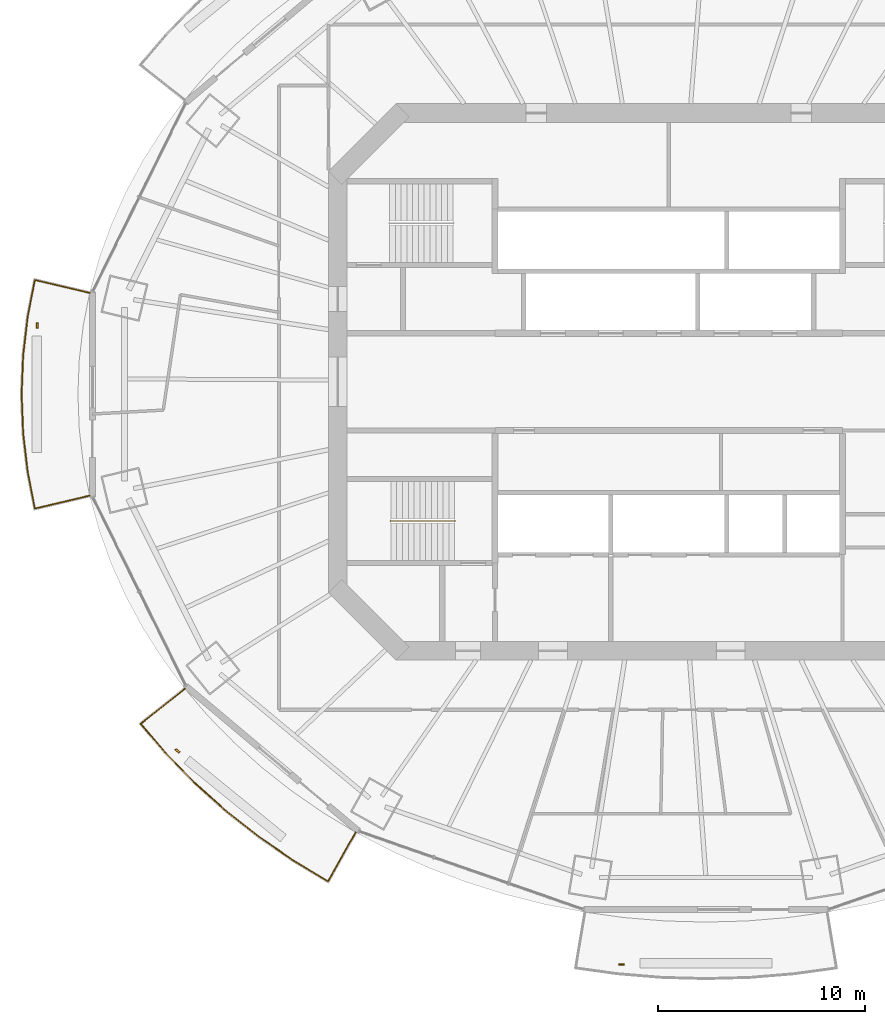
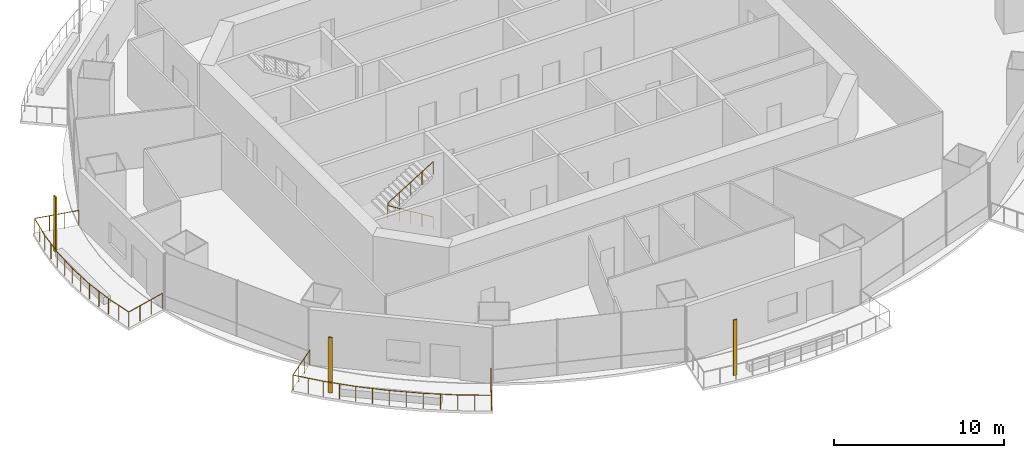
# One storey, part 14 of 19: 3 railings, 3 shading devices.
"""IFC4 building model written with IfcOpenShell, lengths in metres."""

from ifc_helpers import new_model, si_unit, direction, frame, origin, origin_2d, place, context, subcontext, project, spatial, rectangle, circle, extrude, material, material_profile, profile_set, type_object, element, save


model = new_model("IFC4")

# Units and contexts
model_context = context("Model", 3, precision=1e-05, world=origin(), true_north=direction((0.0, 1.0)))
body_context = subcontext(model_context, "Body", "Model", "MODEL_VIEW")
ifc_project = project(units=[si_unit("LENGTHUNIT", "METRE"), si_unit("AREAUNIT", "SQUARE_METRE"), si_unit("VOLUMEUNIT", "CUBIC_METRE"), si_unit("PLANEANGLEUNIT", "RADIAN"), si_unit("MASSUNIT", "GRAM", prefix="KILO")], contexts=[model_context])

# Site, building, storey
site_placement = place(None, origin())
site = spatial("IfcSite", under=ifc_project, at=site_placement, CompositionType="ELEMENT")
building_placement = place(site_placement, origin())
building = spatial("IfcBuilding", under=site, at=building_placement, Name="Marenthal Gate Tower", CompositionType="ELEMENT")
storey_placement = place(building_placement, frame((0.0, 0.0, 239.89990234375)))
storey = spatial("IfcBuildingStorey", under=building, at=storey_placement, Name="L53", CompositionType="ELEMENT", Elevation=239.89990234375)

# Railings
ifc_material_1 = material(Name="Stainless steel", Category="steel")
railing_type_1 = type_object("IfcRailingType", Name="Balcony guard 1100", PredefinedType="GUARDRAIL", material=ifc_material_1)
railing_1_placement = place(storey_placement, frame((-28.0, -5.500732421875, 0.0)))
element("IfcRailing", 1, at=railing_1_placement, inside=storey, type_object=railing_type_1, Name="Balcony guard L53 bay 8", PredefinedType="GUARDRAIL", context=body_context, shape_type="SweptSolid", body=[
    extrude(circle(Radius=0.02392578125, at=origin_2d()), frame((0.0, 0.0, 1.076171875), z_axis=(-0.973073527248, -0.230030202023, -0.014629310546), x_axis=(0.23005482113, -0.97317767097, 0.0)), (0.0, 0.0, 1.0), 2.72021484375),
    extrude(circle(Radius=0.02392578125, at=origin_2d()), frame((-2.64697265625, -0.625732421875, 1.0361328125), z_axis=(-0.191050348988, 0.981580238265, 0.0), x_axis=(-0.981580238265, -0.191050348988, 0.0)), (0.0, 0.0, 1.0), 1.80810546875),
    extrude(circle(Radius=0.02392578125, at=origin_2d()), frame((-2.992431640625, 1.149169921875, 1.0361328125), z_axis=(-0.116360074506, 0.99320709475, 0.0), x_axis=(-0.99320709475, -0.116360074506, 0.0)), (0.0, 0.0, 1.0), 1.884033203125),
    extrude(circle(Radius=0.02392578125, at=origin_2d()), frame((-3.211669921875, 3.0205078125, 1.0361328125), z_axis=(-0.038926454163, 0.999242078361, 0.0), x_axis=(-0.999242078361, -0.038926454163, 0.0)), (0.0, 0.0, 1.0), 1.881591796875),
    extrude(circle(Radius=0.02392578125, at=origin_2d()), frame((-3.284912109375, 4.900634765625, 1.0361328125), z_axis=(0.038921407749, 0.999242274936, 0.0), x_axis=(-0.999242274936, 0.038921407749, 0.0)), (0.0, 0.0, 1.0), 1.8818359375),
    extrude(circle(Radius=0.02392578125, at=origin_2d()), frame((-3.211669921875, 6.781005859375, 1.0361328125), z_axis=(0.116375051579, 0.993205339983, 0.0), x_axis=(-0.993205339983, 0.116375051579, 0.0)), (0.0, 0.0, 1.0), 1.8837890625),
    extrude(circle(Radius=0.02392578125, at=origin_2d()), frame((-2.992431640625, 8.652099609375, 1.0361328125), z_axis=(0.191025032202, 0.981585165471, 0.0), x_axis=(-0.981585165471, 0.191025032202, 0.0)), (0.0, 0.0, 1.0), 1.808349609375),
    extrude(circle(Radius=0.02392578125, at=origin_2d()), frame((-2.64697265625, 10.42724609375, 1.0361328125), z_axis=(0.97305343456, -0.23011520072, 0.01462900847), x_axis=(0.230139827907, 0.97315757183, 0.0)), (0.0, 0.0, 1.0), 2.72021484375),
    extrude(circle(Radius=0.02099609375, at=origin_2d()), origin(), (0.0, 0.0, 1.0), 1.052001953125),
    extrude(circle(Radius=0.02099609375, at=origin_2d()), frame((-0.88232421875, -0.20849609375, -0.01318359375)), (0.0, 0.0, 1.0), 1.052001953125),
    extrude(circle(Radius=0.02099609375, at=origin_2d()), frame((-1.7646484375, -0.417236328125, -0.026611328125)), (0.0, 0.0, 1.0), 1.052001953125),
    extrude(circle(Radius=0.02099609375, at=origin_2d()), frame((-2.64697265625, -0.625732421875, -0.039794921875)), (0.0, 0.0, 1.0), 1.052001953125),
    extrude(circle(Radius=0.02099609375, at=origin_2d()), frame((-2.81982421875, 0.26171875, -0.039794921875)), (0.0, 0.0, 1.0), 1.052001953125),
    extrude(circle(Radius=0.02099609375, at=origin_2d()), frame((-2.992431640625, 1.149169921875, -0.039794921875)), (0.0, 0.0, 1.0), 1.052001953125),
    extrude(circle(Radius=0.02099609375, at=origin_2d()), frame((-3.10205078125, 2.0849609375, -0.039794921875)), (0.0, 0.0, 1.0), 1.052001953125),
    extrude(circle(Radius=0.02099609375, at=origin_2d()), frame((-3.211669921875, 3.0205078125, -0.039794921875)), (0.0, 0.0, 1.0), 1.052001953125),
    extrude(circle(Radius=0.02099609375, at=origin_2d()), frame((-3.248291015625, 3.96044921875, -0.039794921875)), (0.0, 0.0, 1.0), 1.052001953125),
    extrude(circle(Radius=0.02099609375, at=origin_2d()), frame((-3.284912109375, 4.900634765625, -0.039794921875)), (0.0, 0.0, 1.0), 1.052001953125),
    extrude(circle(Radius=0.02099609375, at=origin_2d()), frame((-3.248291015625, 5.8408203125, -0.039794921875)), (0.0, 0.0, 1.0), 1.052001953125),
    extrude(circle(Radius=0.02099609375, at=origin_2d()), frame((-3.211669921875, 6.781005859375, -0.039794921875)), (0.0, 0.0, 1.0), 1.052001953125),
    extrude(circle(Radius=0.02099609375, at=origin_2d()), frame((-3.10205078125, 7.716552734375, -0.039794921875)), (0.0, 0.0, 1.0), 1.052001953125),
    extrude(circle(Radius=0.02099609375, at=origin_2d()), frame((-2.992431640625, 8.652099609375, -0.039794921875)), (0.0, 0.0, 1.0), 1.052001953125),
    extrude(circle(Radius=0.02099609375, at=origin_2d()), frame((-2.81982421875, 9.53955078125, -0.039794921875)), (0.0, 0.0, 1.0), 1.052001953125),
    extrude(circle(Radius=0.02099609375, at=origin_2d()), frame((-2.64697265625, 10.42724609375, -0.039794921875)), (0.0, 0.0, 1.0), 1.052001953125),
    extrude(circle(Radius=0.02099609375, at=origin_2d()), frame((-1.7646484375, 10.218505859375, -0.026611328125)), (0.0, 0.0, 1.0), 1.052001953125),
    extrude(circle(Radius=0.02099609375, at=origin_2d()), frame((-0.88232421875, 10.010009765625, -0.01318359375)), (0.0, 0.0, 1.0), 1.052001953125),
    extrude(circle(Radius=0.02099609375, at=origin_2d()), frame((0.0, 9.80126953125, 0.0)), (0.0, 0.0, 1.0), 1.052001953125),
])
railing_2_placement = place(storey_placement, frame((-15.1396484375, -21.779052734375, 0.0)))
element("IfcRailing", 2, at=railing_2_placement, inside=storey, type_object=railing_type_1, Name="Balcony guard L53 bay 10", PredefinedType="GUARDRAIL", context=body_context, shape_type="SweptSolid", body=[
    extrude(circle(Radius=0.02392578125, at=origin_2d()), frame((0.0, 0.0, 1.076171875), z_axis=(-0.489897722025, -0.871657185205, -0.014627830865), x_axis=(0.871750455914, -0.489950142987, 0.0)), (0.0, 0.0, 1.0), 2.720458984375),
    extrude(circle(Radius=0.02392578125, at=origin_2d()), frame((-1.332763671875, -2.371337890625, 1.0361328125), z_axis=(-0.855948649987, 0.517060836445, 0.0), x_axis=(-0.517060836445, -0.855948649987, 0.0)), (0.0, 0.0, 1.0), 1.9716796875),
    extrude(circle(Radius=0.02392578125, at=origin_2d()), frame((-3.0205078125, -1.351806640625, 1.0361328125), z_axis=(-0.823162524927, 0.567805827335, 0.0), x_axis=(-0.567805827335, -0.823162524927, 0.0)), (0.0, 0.0, 1.0), 2.035400390625),
    extrude(circle(Radius=0.02392578125, at=origin_2d()), frame((-4.696044921875, -0.196044921875, 1.0361328125), z_axis=(-0.785764137511, 0.618526248595, 0.0), x_axis=(-0.618526248595, -0.785764137511, 0.0)), (0.0, 0.0, 1.0), 2.01904296875),
    extrude(circle(Radius=0.02392578125, at=origin_2d()), frame((-6.282470703125, 1.052734375, 1.0361328125), z_axis=(-0.744232960916, 0.66792012987, 0.0), x_axis=(-0.66792012987, -0.744232960916, 0.0)), (0.0, 0.0, 1.0), 2.002685546875),
    extrude(circle(Radius=0.02392578125, at=origin_2d()), frame((-7.77294921875, 2.390380859375, 1.0361328125), z_axis=(-0.698634154887, 0.715479082591, 0.0), x_axis=(-0.715479082591, -0.698634154887, 0.0)), (0.0, 0.0, 1.0), 1.985595703125),
    extrude(circle(Radius=0.02392578125, at=origin_2d()), frame((-9.16015625, 3.81103515625, 1.0361328125), z_axis=(-0.649843765812, 0.760067812787, 0.0), x_axis=(-0.760067812787, -0.649843765812, 0.0)), (0.0, 0.0, 1.0), 1.889404296875),
    extrude(circle(Radius=0.02392578125, at=origin_2d()), frame((-10.387939453125, 5.2470703125, 1.0361328125), z_axis=(0.782978191442, 0.621877107806, 0.014629234893), x_axis=(-0.621943663853, 0.783061989241, 0.0)), (0.0, 0.0, 1.0), 2.72021484375),
    extrude(circle(Radius=0.02099609375, at=origin_2d()), origin(), (0.0, 0.0, 1.0), 1.052001953125),
    extrude(circle(Radius=0.02099609375, at=origin_2d()), frame((-0.4443359375, -0.79052734375, -0.01318359375)), (0.0, 0.0, 1.0), 1.052001953125),
    extrude(circle(Radius=0.02099609375, at=origin_2d()), frame((-0.888427734375, -1.580810546875, -0.026611328125)), (0.0, 0.0, 1.0), 1.052001953125),
    extrude(circle(Radius=0.02099609375, at=origin_2d()), frame((-1.332763671875, -2.371337890625, -0.039794921875)), (0.0, 0.0, 1.0), 1.052001953125),
    extrude(circle(Radius=0.02099609375, at=origin_2d()), frame((-2.1767578125, -1.861572265625, -0.039794921875)), (0.0, 0.0, 1.0), 1.052001953125),
    extrude(circle(Radius=0.02099609375, at=origin_2d()), frame((-3.0205078125, -1.351806640625, -0.039794921875)), (0.0, 0.0, 1.0), 1.052001953125),
    extrude(circle(Radius=0.02099609375, at=origin_2d()), frame((-3.8583984375, -0.77392578125, -0.039794921875)), (0.0, 0.0, 1.0), 1.052001953125),
    extrude(circle(Radius=0.02099609375, at=origin_2d()), frame((-4.696044921875, -0.196044921875, -0.039794921875)), (0.0, 0.0, 1.0), 1.052001953125),
    extrude(circle(Radius=0.02099609375, at=origin_2d()), frame((-5.4892578125, 0.42822265625, -0.039794921875)), (0.0, 0.0, 1.0), 1.052001953125),
    extrude(circle(Radius=0.02099609375, at=origin_2d()), frame((-6.282470703125, 1.052734375, -0.039794921875)), (0.0, 0.0, 1.0), 1.052001953125),
    extrude(circle(Radius=0.02099609375, at=origin_2d()), frame((-7.02783203125, 1.7216796875, -0.039794921875)), (0.0, 0.0, 1.0), 1.052001953125),
    extrude(circle(Radius=0.02099609375, at=origin_2d()), frame((-7.77294921875, 2.390380859375, -0.039794921875)), (0.0, 0.0, 1.0), 1.052001953125),
    extrude(circle(Radius=0.02099609375, at=origin_2d()), frame((-8.466552734375, 3.1005859375, -0.039794921875)), (0.0, 0.0, 1.0), 1.052001953125),
    extrude(circle(Radius=0.02099609375, at=origin_2d()), frame((-9.16015625, 3.81103515625, -0.039794921875)), (0.0, 0.0, 1.0), 1.052001953125),
    extrude(circle(Radius=0.02099609375, at=origin_2d()), frame((-9.77392578125, 4.529052734375, -0.039794921875)), (0.0, 0.0, 1.0), 1.052001953125),
    extrude(circle(Radius=0.02099609375, at=origin_2d()), frame((-10.387939453125, 5.2470703125, -0.039794921875)), (0.0, 0.0, 1.0), 1.052001953125),
    extrude(circle(Radius=0.02099609375, at=origin_2d()), frame((-9.677978515625, 5.81103515625, -0.026611328125)), (0.0, 0.0, 1.0), 1.052001953125),
    extrude(circle(Radius=0.02099609375, at=origin_2d()), frame((-8.968017578125, 6.374755859375, -0.01318359375)), (0.0, 0.0, 1.0), 1.052001953125),
    extrude(circle(Radius=0.02099609375, at=origin_2d()), frame((-8.258056640625, 6.938720703125, 0.0)), (0.0, 0.0, 1.0), 1.052001953125),
])
ifc_material_2 = material(Name="Stainless steel", Category="steel")
railing_type_2 = type_object("IfcRailingType", Name="Stair handrail", PredefinedType="HANDRAIL", material=ifc_material_2)
railing_3_placement = place(storey_placement, frame((-10.35009765625, -6.72509765625, 0.173095703125)))
element("IfcRailing", 3, at=railing_3_placement, inside=storey, type_object=railing_type_2, Name="Handrail ST2", PredefinedType="HANDRAIL", context=body_context, shape_type="SweptSolid", body=[
    extrude(circle(Radius=0.0224609375, at=origin_2d()), frame((0.0, 0.0, 0.927490234375), z_axis=(-0.850816621229, 0.0, 0.525462726595), x_axis=(0.0, -1.0, 0.0)), (0.0, 0.0, 1.0), 3.619873046875),
    extrude(circle(Radius=0.0224609375, at=origin_2d()), frame((-3.079833984375, 0.0, 2.82958984375), z_axis=(0.0, 0.0, 1.0), x_axis=(1.0, 0.0, 0.0)), (0.0, 0.0, 1.0), 0.1728515625),
    extrude(circle(Radius=0.0224609375, at=origin_2d()), frame((-3.079833984375, 0.0, 3.00244140625), z_axis=(0.850816621229, 0.0, 0.525462726595), x_axis=(0.0, 1.0, 0.0)), (0.0, 0.0, 1.0), 3.619873046875),
    extrude(circle(Radius=0.02001953125, at=origin_2d()), origin(), (0.0, 0.0, 1.0), 0.905029296875),
    extrude(circle(Radius=0.02001953125, at=origin_2d()), frame((-0.77001953125, 0.0, 0.4755859375)), (0.0, 0.0, 1.0), 0.905029296875),
    extrude(circle(Radius=0.02001953125, at=origin_2d()), frame((-1.5400390625, 0.0, 0.951171875)), (0.0, 0.0, 1.0), 0.905029296875),
    extrude(circle(Radius=0.02001953125, at=origin_2d()), frame((-2.309814453125, 0.0, 1.426513671875)), (0.0, 0.0, 1.0), 0.905029296875),
    extrude(circle(Radius=0.02001953125, at=origin_2d()), frame((-3.079833984375, 0.0, 1.902099609375)), (0.0, 0.0, 1.0), 0.905029296875),
    extrude(circle(Radius=0.02001953125, at=origin_2d()), frame((-3.079833984375, 0.0, 2.074951171875)), (0.0, 0.0, 1.0), 0.905029296875),
    extrude(circle(Radius=0.02001953125, at=origin_2d()), frame((-2.309814453125, 0.0, 2.550537109375)), (0.0, 0.0, 1.0), 0.905029296875),
    extrude(circle(Radius=0.02001953125, at=origin_2d()), frame((-1.5400390625, 0.0, 3.02587890625)), (0.0, 0.0, 1.0), 0.905029296875),
    extrude(circle(Radius=0.02001953125, at=origin_2d()), frame((-0.77001953125, 0.0, 3.50146484375)), (0.0, 0.0, 1.0), 0.905029296875),
    extrude(circle(Radius=0.02001953125, at=origin_2d()), frame((0.0, 0.0, 3.97705078125)), (0.0, 0.0, 1.0), 0.905029296875),
])

# Shading devices
ifc_material_3 = material(Name="Terracotta", Category="masonry")
ifc_material_profile = material_profile(ifc_material_3, rectangle(XDim=0.25, YDim=0.080078125, at=origin_2d()), Name="Terracotta baguette 250x80")
ifc_profile_set = profile_set([ifc_material_profile], Name="Terracotta")
shading_device_type = type_object("IfcShadingDeviceType", Name="Terracotta BAGUETTE SCREEN 250x80", PredefinedType="USERDEFINED", material=ifc_profile_set)
for number, where, z_axis, x_axis, name in (
    (4, (-30.532958984375, 2.723388671875, -0.039794921875), (0.0, 0.0, 1.0), (0.0, -1.0, 0.0), "Terracotta BAGUETTE L53 bay 8L"),
    (5, (-23.75, -17.84375, -0.039794921875), (0.0, 0.0, 1.0), (0.765469470301, -0.643472213881, 0.0), "Terracotta BAGUETTE L53 bay 10L"),
    (6, (-2.28564453125, -28.1640625, -0.039794921875), (0.0, 0.0, 1.0), (1.0, 0.0, 0.0), "Terracotta BAGUETTE L53 bay 12L"),
):
    element("IfcShadingDevice", number, at=place(storey_placement, frame(where, z_axis=z_axis, x_axis=x_axis)), inside=storey, type_object=shading_device_type, Name=name, ObjectType="BAGUETTE SCREEN", PredefinedType="USERDEFINED", context=body_context, shape_type="SweptSolid", body=[
        extrude(rectangle(XDim=0.25, YDim=0.080078125, at=origin_2d()), origin(), (0.0, 0.0, 1.0), 3.969970703125),
    ])

save(model, "model.ifc")
